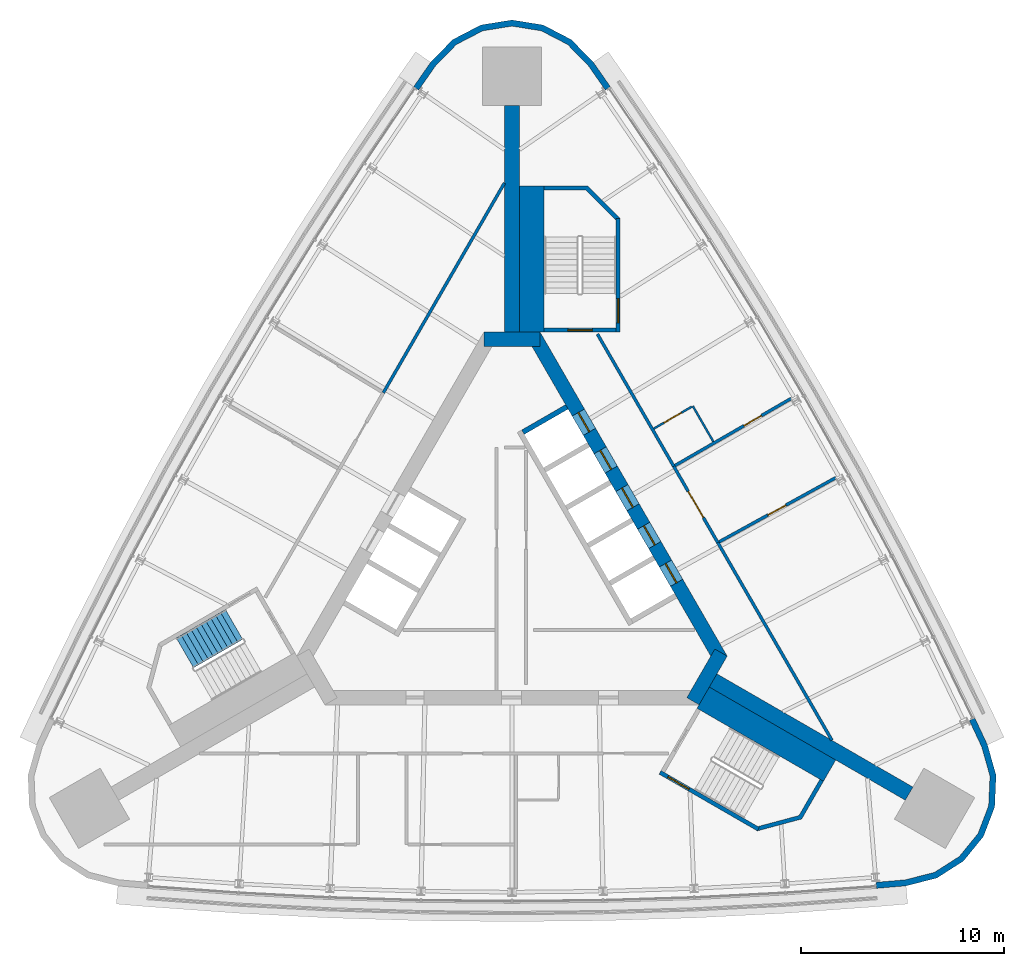
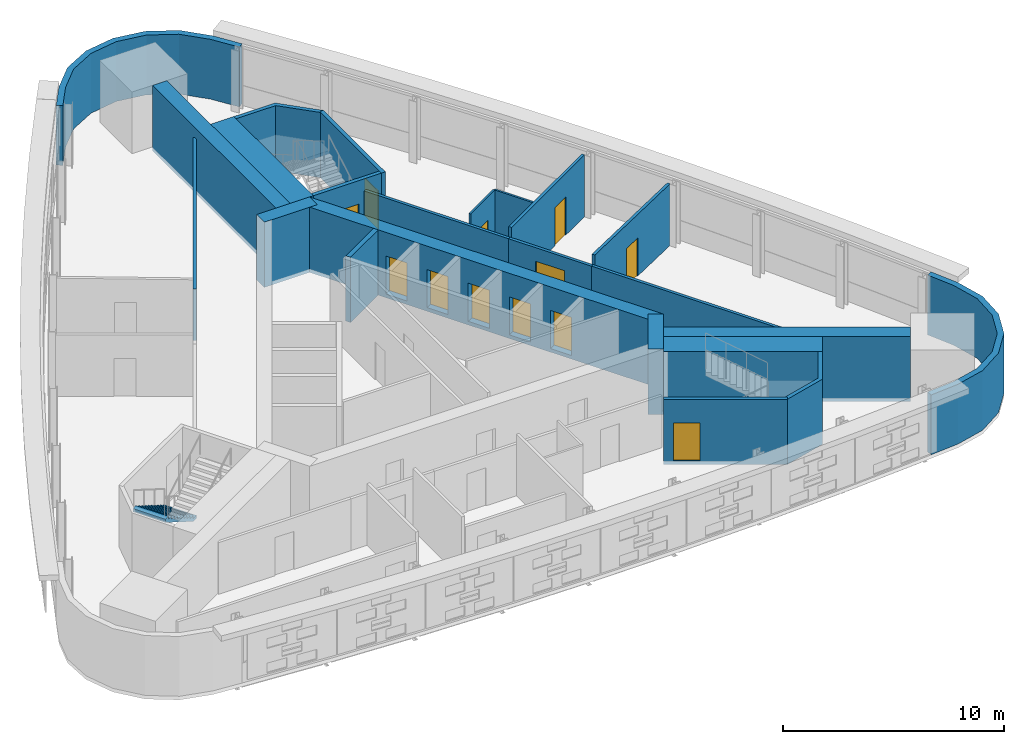
# One storey, part 10 of 13: 23 walls, 12 doors, 1 stair flight, 12 openings, 1 element without a shape of its own.
"""IFC4 building model written with IfcOpenShell, lengths in metres."""

from ifc_helpers import new_model, si_unit, direction, frame, frame_2d, origin, place, context, subcontext, project, spatial, polyline, rectangle, outline, extrude, material, layer, layer_set, type_object, element, fill, aggregate, save


model = new_model("IFC4")

# Units and contexts
model_context = context("Model", 3, precision=1e-05, world=origin(), true_north=direction((0.0, 1.0)))
body_context = subcontext(model_context, "Body", "Model", "MODEL_VIEW")
ifc_project = project(units=[si_unit("LENGTHUNIT", "METRE"), si_unit("AREAUNIT", "SQUARE_METRE"), si_unit("VOLUMEUNIT", "CUBIC_METRE"), si_unit("PLANEANGLEUNIT", "RADIAN"), si_unit("MASSUNIT", "GRAM", prefix="KILO")], contexts=[model_context])

# Site, building, storey
site_placement = place(None, origin())
site = spatial("IfcSite", under=ifc_project, at=site_placement, CompositionType="ELEMENT")
building_placement = place(site_placement, origin())
building = spatial("IfcBuilding", under=site, at=building_placement, Name="Noor Cloister Tower", CompositionType="ELEMENT")
storey_placement = place(building_placement, frame((0.0, 0.0, 143.699951171875)))
storey = spatial("IfcBuildingStorey", under=building, at=storey_placement, Name="L36", CompositionType="ELEMENT", Elevation=143.699951171875)

# Walls
ifc_material_1 = material(Name="Concrete C70/85", Category="concrete")
ifc_layer_1 = layer(ifc_material_1, 0.75)
ifc_layer_set_1 = layer_set([ifc_layer_1], Name="Buttress wall 750 C70/85")
wall_type_1 = type_object("IfcWallType", Name="Buttress wall 750 C70/85", PredefinedType="SHEAR", material=ifc_layer_set_1)
wall_1_placement = place(storey_placement, frame((0.0, 11.456298828125, -0.199951171875), z_axis=(0.0, 0.0, 1.0), x_axis=(0.0, 1.0, 0.0)))
element("IfcWall", 1, at=wall_1_placement, inside=storey, type_object=wall_type_1, Name="Buttress wall N L36", PredefinedType="SHEAR", context=body_context, shape_type="SweptSolid", body=[
    extrude(rectangle(XDim=11.166748046875, YDim=0.75, at=frame_2d((5.58349609375, 0.0))), origin(), (0.0, 0.0, 1.0), 3.60009765625),
])
wall_2_placement = place(storey_placement, frame((9.921630859375, -5.728271484375, -0.199951171875), z_axis=(0.0, 0.0, 1.0), x_axis=(0.866023928423, -0.500002555393, 0.0)))
element("IfcWall", 2, at=wall_2_placement, inside=storey, type_object=wall_type_1, Name="Buttress wall SE L36", PredefinedType="SHEAR", context=body_context, shape_type="SweptSolid", body=[
    extrude(rectangle(XDim=11.16650390625, YDim=0.75, at=frame_2d((5.583251953125, 0.0))), origin(), (0.0, 0.0, 1.0), 3.60009765625),
])
ifc_material_2 = material(Name="Concrete C70/85", Category="concrete")
ifc_layer_2 = layer(ifc_material_2, 0.699951171875)
ifc_layer_set_2 = layer_set([ifc_layer_2], Name="Core wall 700 C70/85")
wall_type_2 = type_object("IfcWallType", Name="Core wall 700 C70/85", PredefinedType="SHEAR", material=ifc_layer_set_2)
wall_3_placement = place(storey_placement, frame((8.925537109375, -6.753173828125, -0.199951171875), z_axis=(0.0, 0.0, 1.0), x_axis=(0.500042739161, 0.866000726912, 0.0)))
element("IfcWall", 3, at=wall_3_placement, inside=storey, type_object=wall_type_2, Name="Core wall L36 2", PredefinedType="SHEAR", context=body_context, shape_type="SweptSolid", body=[
    extrude(rectangle(XDim=2.771240234375, YDim=0.699951171875, at=frame_2d((1.3857421875, 0.0))), origin(), (0.0, 0.0, 1.0), 3.60009765625),
])

# Wall, openings, doors
wall_4_placement = place(storey_placement, frame((10.311279296875, -4.703125, -0.199951171875), z_axis=(0.0, 0.0, 1.0), x_axis=(-0.500001446645, 0.866024568562, 0.0)))
wall_4 = element("IfcWall", 4, at=wall_4_placement, inside=storey, type_object=wall_type_2, Name="Core wall L36 3", PredefinedType="SHEAR", context=body_context, shape_type="SweptSolid", body=[
    extrude(rectangle(XDim=18.45751953125, YDim=0.699951171875, at=frame_2d((9.228759765625, 0.0))), origin(), (0.0, 0.0, 1.0), 3.60009765625),
])
opening_1_placement = place(wall_4_placement, frame((4.378662109375, 0.0, 0.199951171875)))
opening_1 = element("IfcOpeningElement", 5, at=opening_1_placement, cuts=wall_4, Name="Opening L36-HR1", PredefinedType="OPENING", context=body_context, shape_type="SweptSolid", body=[
    extrude(rectangle(XDim=1.10009765625, YDim=2.10009765625, at=frame_2d((0.550048828125, 1.050048828125))), frame((0.0, 0.35986328125, 0.0), z_axis=(0.0, -1.0, 0.0), x_axis=(1.0, 0.0, 0.0)), (0.0, 0.0, 1.0), 0.719970703125),
])
opening_2_placement = place(wall_4_placement, frame((6.52880859375, 0.0, 0.199951171875)))
opening_2 = element("IfcOpeningElement", 6, at=opening_2_placement, cuts=wall_4, Name="Opening L36-HR2", PredefinedType="OPENING", context=body_context, shape_type="SweptSolid", body=[
    extrude(rectangle(XDim=1.10009765625, YDim=2.10009765625, at=frame_2d((0.550048828125, 1.050048828125))), frame((0.0, 0.35986328125, 0.0), z_axis=(0.0, -1.0, 0.0), x_axis=(1.0, 0.0, 0.0)), (0.0, 0.0, 1.0), 0.719970703125),
])
opening_3_placement = place(wall_4_placement, frame((8.6787109375, 0.0, 0.199951171875)))
opening_3 = element("IfcOpeningElement", 7, at=opening_3_placement, cuts=wall_4, Name="Opening L36-HR3", PredefinedType="OPENING", context=body_context, shape_type="SweptSolid", body=[
    extrude(rectangle(XDim=1.10009765625, YDim=2.10009765625, at=frame_2d((0.550048828125, 1.050048828125))), frame((0.0, 0.35986328125, 0.0), z_axis=(0.0, -1.0, 0.0), x_axis=(1.0, 0.0, 0.0)), (0.0, 0.0, 1.0), 0.719970703125),
])
opening_4_placement = place(wall_4_placement, frame((10.82861328125, 0.0, 0.199951171875)))
opening_4 = element("IfcOpeningElement", 8, at=opening_4_placement, cuts=wall_4, Name="Opening L36-HR4", PredefinedType="OPENING", context=body_context, shape_type="SweptSolid", body=[
    extrude(rectangle(XDim=1.10009765625, YDim=2.10009765625, at=frame_2d((0.550048828125, 1.050048828125))), frame((0.0, 0.35986328125, 0.0), z_axis=(0.0, -1.0, 0.0), x_axis=(1.0, 0.0, 0.0)), (0.0, 0.0, 1.0), 0.719970703125),
])
opening_5_placement = place(wall_4_placement, frame((12.978759765625, 0.0, 0.199951171875)))
opening_5 = element("IfcOpeningElement", 9, at=opening_5_placement, cuts=wall_4, Name="Opening L36-HR5", PredefinedType="OPENING", context=body_context, shape_type="SweptSolid", body=[
    extrude(rectangle(XDim=1.10009765625, YDim=2.10009765625, at=frame_2d((0.550048828125, 1.050048828125))), frame((0.0, 0.35986328125, 0.0), z_axis=(0.0, -1.0, 0.0), x_axis=(1.0, 0.0, 0.0)), (0.0, 0.0, 1.0), 0.719970703125),
])
ifc_material_3 = material(Name="Stainless steel", Category="steel")
door_type_1 = type_object("IfcDoorType", Name="Lift landing door 1100 x 2100", OperationType="DOUBLE_DOOR_SLIDING", PredefinedType="DOOR", material=ifc_material_3)
door_1_placement = place(opening_1_placement, origin())
door_1 = element("IfcDoor", 10, at=door_1_placement, inside=storey, type_object=door_type_1, Name="Landing door HR1 L36", OperationType="DOUBLE_DOOR_SLIDING", OverallHeight=2.10009765625, OverallWidth=1.10009765625, PredefinedType="DOOR", context=body_context, shape_type="SweptSolid", body=[
    extrude(rectangle(XDim=1.10009765625, YDim=2.10009765625, at=frame_2d((0.550048828125, 1.050048828125))), frame((0.0, 0.02490234375, 0.0), z_axis=(0.0, -1.0, 0.0), x_axis=(1.0, 0.0, 0.0)), (0.0, 0.0, 1.0), 0.050048828125),
])
fill(opening_1, door_1)
door_2_placement = place(opening_2_placement, origin())
door_2 = element("IfcDoor", 11, at=door_2_placement, inside=storey, type_object=door_type_1, Name="Landing door HR2 L36", OperationType="DOUBLE_DOOR_SLIDING", OverallHeight=2.10009765625, OverallWidth=1.10009765625, PredefinedType="DOOR", context=body_context, shape_type="SweptSolid", body=[
    extrude(rectangle(XDim=1.10009765625, YDim=2.10009765625, at=frame_2d((0.550048828125, 1.050048828125))), frame((0.0, 0.02490234375, 0.0), z_axis=(0.0, -1.0, 0.0), x_axis=(1.0, 0.0, 0.0)), (0.0, 0.0, 1.0), 0.050048828125),
])
fill(opening_2, door_2)
door_3_placement = place(opening_3_placement, origin())
door_3 = element("IfcDoor", 12, at=door_3_placement, inside=storey, type_object=door_type_1, Name="Landing door HR3 L36", OperationType="DOUBLE_DOOR_SLIDING", OverallHeight=2.10009765625, OverallWidth=1.10009765625, PredefinedType="DOOR", context=body_context, shape_type="SweptSolid", body=[
    extrude(rectangle(XDim=1.10009765625, YDim=2.10009765625, at=frame_2d((0.550048828125, 1.050048828125))), frame((0.0, 0.02490234375, 0.0), z_axis=(0.0, -1.0, 0.0), x_axis=(1.0, 0.0, 0.0)), (0.0, 0.0, 1.0), 0.050048828125),
])
fill(opening_3, door_3)
door_4_placement = place(opening_4_placement, origin())
door_4 = element("IfcDoor", 13, at=door_4_placement, inside=storey, type_object=door_type_1, Name="Landing door HR4 L36", OperationType="DOUBLE_DOOR_SLIDING", OverallHeight=2.10009765625, OverallWidth=1.10009765625, PredefinedType="DOOR", context=body_context, shape_type="SweptSolid", body=[
    extrude(rectangle(XDim=1.10009765625, YDim=2.10009765625, at=frame_2d((0.550048828125, 1.050048828125))), frame((0.0, 0.02490234375, 0.0), z_axis=(0.0, -1.0, 0.0), x_axis=(1.0, 0.0, 0.0)), (0.0, 0.0, 1.0), 0.050048828125),
])
fill(opening_4, door_4)
door_5_placement = place(opening_5_placement, origin())
door_5 = element("IfcDoor", 14, at=door_5_placement, inside=storey, type_object=door_type_1, Name="Landing door HR5 L36", OperationType="DOUBLE_DOOR_SLIDING", OverallHeight=2.10009765625, OverallWidth=1.10009765625, PredefinedType="DOOR", context=body_context, shape_type="SweptSolid", body=[
    extrude(rectangle(XDim=1.10009765625, YDim=2.10009765625, at=frame_2d((0.550048828125, 1.050048828125))), frame((0.0, 0.02490234375, 0.0), z_axis=(0.0, -1.0, 0.0), x_axis=(1.0, 0.0, 0.0)), (0.0, 0.0, 1.0), 0.050048828125),
])
fill(opening_5, door_5)

# Walls
wall_5_placement = place(storey_placement, frame((1.3857421875, 11.1064453125, -0.199951171875), z_axis=(0.0, 0.0, 1.0), x_axis=(-1.0, 0.0, 0.0)))
element("IfcWall", 15, at=wall_5_placement, inside=storey, type_object=wall_type_2, Name="Core wall L36 4", PredefinedType="SHEAR", context=body_context, shape_type="SweptSolid", body=[
    extrude(rectangle(XDim=2.771484375, YDim=0.699951171875, at=frame_2d((1.3857421875, 0.0))), origin(), (0.0, 0.0, 1.0), 3.60009765625),
])
ifc_material_4 = material(Name="Fire-rated gypsum board partition on steel studs, 150 mm", Category="steel")
ifc_layer_3 = layer(ifc_material_4, 0.14990234375)
ifc_layer_set_3 = layer_set([ifc_layer_3], Name="Fire lobby wall 150")
wall_type_3 = type_object("IfcWallType", Name="Fire lobby wall 150", PredefinedType="PARTITIONING", material=ifc_layer_set_3)
wall_6_placement = place(storey_placement, frame((-0.375, 18.806884765625, 0.0), z_axis=(0.0, 0.0, 1.0), x_axis=(-0.499995562011, -0.866027966043, 0.0)))
element("IfcWall", 16, at=wall_6_placement, inside=storey, type_object=wall_type_3, Name="Wall L36-W18", PredefinedType="PARTITIONING", context=body_context, shape_type="SweptSolid", body=[
    extrude(rectangle(XDim=11.9423828125, YDim=0.14990234375, at=frame_2d((5.97119140625, 0.0))), origin(), (0.0, 0.0, 1.0), 2.85205078125),
])
ifc_material_5 = material(Name="Gypsum board partition on steel studs, 150 mm", Category="steel")
ifc_layer_4 = layer(ifc_material_5, 0.14990234375)
ifc_layer_set_4 = layer_set([ifc_layer_4], Name="Flat wall 150")
wall_type_4 = type_object("IfcWallType", Name="Flat wall 150", PredefinedType="PARTITIONING", material=ifc_layer_set_4)
wall_7_placement = place(storey_placement, frame((15.781982421875, -8.6787109375, 0.0), z_axis=(0.0, 0.0, 1.0), x_axis=(-0.500008408626, 0.866020549008, 0.0)))
element("IfcWall", 17, at=wall_7_placement, inside=storey, type_object=wall_type_4, Name="Wall L36-W01", PredefinedType="PARTITIONING", context=body_context, shape_type="SweptSolid", body=[
    extrude(rectangle(XDim=11.258056640625, YDim=0.14990234375, at=frame_2d((5.62890625, 0.0))), origin(), (0.0, 0.0, 1.0), 2.85205078125),
])
wall_8_placement = place(storey_placement, frame((7.978515625, 4.83740234375, 0.0), z_axis=(0.0, 0.0, 1.0), x_axis=(-0.500014427086, 0.866017074142, 0.0)))
element("IfcWall", 18, at=wall_8_placement, inside=storey, type_object=wall_type_4, Name="Wall L36-W02", PredefinedType="PARTITIONING", context=body_context, shape_type="SweptSolid", body=[
    extrude(rectangle(XDim=7.527587890625, YDim=0.14990234375, at=frame_2d((3.763671875, 0.0))), origin(), (0.0, 0.0, 1.0), 2.84716796875),
])

# Wall, opening, door
wall_9_placement = place(storey_placement, frame((15.98046875, 4.278076171875, 0.0), z_axis=(0.0, 0.0, 1.0), x_axis=(-0.876090474863, -0.482146740997, 0.0)))
wall_9 = element("IfcWall", 19, at=wall_9_placement, inside=storey, type_object=wall_type_4, Name="Wall L36-W03", PredefinedType="PARTITIONING", context=body_context, shape_type="SweptSolid", body=[
    extrude(rectangle(XDim=6.57666015625, YDim=0.14990234375, at=frame_2d((3.288330078125, 0.0))), origin(), (0.0, 0.0, 1.0), 3.400146484375),
])
opening_6_placement = place(wall_9_placement, frame((2.825927734375, 0.0, 0.0)))
opening_6 = element("IfcOpeningElement", 20, at=opening_6_placement, cuts=wall_9, Name="Opening L36-002", PredefinedType="OPENING", context=body_context, shape_type="SweptSolid", body=[
    extrude(rectangle(XDim=1.0, YDim=2.10009765625, at=frame_2d((0.5, 1.050048828125))), frame((0.0, 0.0849609375, 0.0), z_axis=(0.0, -1.0, 0.0), x_axis=(1.0, 0.0, 0.0)), (0.0, 0.0, 1.0), 0.169921875),
])
ifc_material_6 = material(Name="Timber door leaf with steel frame", Category="steel")
door_type_2 = type_object("IfcDoorType", Name="Interior door 1000 FD60", OperationType="NOTDEFINED", PredefinedType="DOOR", material=ifc_material_6)
door_6_placement = place(opening_6_placement, origin())
door_6 = element("IfcDoor", 21, at=door_6_placement, inside=storey, type_object=door_type_2, Name="Door L36-002", OperationType="SINGLE_SWING_RIGHT", OverallHeight=2.10009765625, OverallWidth=1.0, PredefinedType="DOOR", context=body_context, shape_type="SweptSolid", body=[
    extrude(rectangle(XDim=1.0, YDim=2.10009765625, at=frame_2d((0.5, 1.050048828125))), frame((0.0, 0.02490234375, 0.0), z_axis=(0.0, -1.0, 0.0), x_axis=(1.0, 0.0, 0.0)), (0.0, 0.0, 1.0), 0.050048828125),
])
fill(opening_6, door_6)

wall_10_placement = place(storey_placement, frame((13.774169921875, 8.183349609375, 0.0), z_axis=(0.0, 0.0, 1.0), x_axis=(-0.866027686223, -0.499996046679, 0.0)))
wall_10 = element("IfcWall", 22, at=wall_10_placement, inside=storey, type_object=wall_type_4, Name="Wall L36-W04", PredefinedType="PARTITIONING", context=body_context, shape_type="SweptSolid", body=[
    extrude(rectangle(XDim=6.6171875, YDim=0.14990234375, at=frame_2d((3.30859375, 0.0))), origin(), (0.0, 0.0, 1.0), 3.400146484375),
])
opening_7_placement = place(wall_10_placement, frame((1.696044921875, 0.0, 0.0)))
opening_7 = element("IfcOpeningElement", 23, at=opening_7_placement, cuts=wall_10, Name="Opening L36-004", PredefinedType="OPENING", context=body_context, shape_type="SweptSolid", body=[
    extrude(rectangle(XDim=1.0, YDim=2.10009765625, at=frame_2d((0.5, 1.050048828125))), frame((0.0, 0.0849609375, 0.0), z_axis=(0.0, -1.0, 0.0), x_axis=(1.0, 0.0, 0.0)), (0.0, 0.0, 1.0), 0.169921875),
])
ifc_material_7 = material(Name="Timber door leaf with steel frame", Category="steel")
door_type_3 = type_object("IfcDoorType", Name="Flat entrance door 1000", OperationType="NOTDEFINED", PredefinedType="DOOR", material=ifc_material_7)
door_7_placement = place(opening_7_placement, origin())
door_7 = element("IfcDoor", 24, at=door_7_placement, inside=storey, type_object=door_type_3, Name="Door L36-004", OperationType="SINGLE_SWING_RIGHT", OverallHeight=2.10009765625, OverallWidth=1.0, PredefinedType="DOOR", context=body_context, shape_type="SweptSolid", body=[
    extrude(rectangle(XDim=1.0, YDim=2.10009765625, at=frame_2d((0.5, 1.050048828125))), frame((0.0, 0.02490234375, 0.0), z_axis=(0.0, -1.0, 0.0), x_axis=(1.0, 0.0, 0.0)), (0.0, 0.0, 1.0), 0.050048828125),
])
fill(opening_7, door_7)

wall_11_placement = place(storey_placement, frame((10.15283203125, 1.071044921875, 0.0), z_axis=(0.0, 0.0, 1.0), x_axis=(-0.499967049188, 0.866044427109, 0.0)))
wall_11 = element("IfcWall", 25, at=wall_11_placement, inside=storey, type_object=wall_type_4, Name="Wall L36-W05", PredefinedType="PARTITIONING", context=body_context, shape_type="SweptSolid", body=[
    extrude(rectangle(XDim=4.348876953125, YDim=0.14990234375, at=frame_2d((2.17431640625, 0.0))), origin(), (0.0, 0.0, 1.0), 2.84716796875),
])
opening_8_placement = place(wall_11_placement, frame((1.424560546875, 0.0, 0.0)))
opening_8 = element("IfcOpeningElement", 26, at=opening_8_placement, cuts=wall_11, Name="Opening L36-001", PredefinedType="OPENING", context=body_context, shape_type="SweptSolid", body=[
    extrude(rectangle(XDim=1.5, YDim=2.10009765625, at=frame_2d((0.75, 1.050048828125))), frame((0.0, 0.0849609375, 0.0), z_axis=(0.0, -1.0, 0.0), x_axis=(1.0, 0.0, 0.0)), (0.0, 0.0, 1.0), 0.169921875),
])
ifc_material_8 = material(Name="Timber door leaf with steel frame", Category="steel")
door_type_4 = type_object("IfcDoorType", Name="Double door 1500 FD60", OperationType="NOTDEFINED", PredefinedType="DOOR", material=ifc_material_8)
door_8_placement = place(opening_8_placement, origin())
door_8 = element("IfcDoor", 27, at=door_8_placement, inside=storey, type_object=door_type_4, Name="Door L36-001", OperationType="DOUBLE_DOOR_SINGLE_SWING", OverallHeight=2.10009765625, OverallWidth=1.5, PredefinedType="DOOR", context=body_context, shape_type="SweptSolid", body=[
    extrude(rectangle(XDim=1.5, YDim=2.10009765625, at=frame_2d((0.75, 1.050048828125))), frame((0.0, 0.02490234375, 0.0), z_axis=(0.0, -1.0, 0.0), x_axis=(1.0, 0.0, 0.0)), (0.0, 0.0, 1.0), 0.050048828125),
])
fill(opening_8, door_8)

# Walls
ifc_material_9 = material(Name="Limestone", Category="masonry")
ifc_layer_5 = layer(ifc_material_9, 0.300048828125)
ifc_layer_set_5 = layer_set([ifc_layer_5], Name="Limestone cladding 300")
wall_type_5 = type_object("IfcWallType", Name="Limestone cladding 300", PredefinedType="NOTDEFINED", material=ifc_layer_set_5)
wall_12_placement = place(storey_placement, origin())
element("IfcWall", 28, at=wall_12_placement, inside=storey, type_object=wall_type_5, Name="Limestone pier cladding L36 2.1", PredefinedType="NOTDEFINED", context=body_context, shape_type="SweptSolid", body=[
    extrude(outline(polyline([(17.979736328125, -15.98486328125), (19.44189453125, -15.859619140625), (20.95458984375, -15.47607421875), (22.27001953125, -14.636474609375), (23.25537109375, -13.426513671875), (23.810791015625, -11.96826171875), (23.8798828125, -10.4091796875), (23.455810546875, -8.907470703125), (22.833251953125, -7.57861328125), (22.5615234375, -7.705810546875), (23.173828125, -9.012451171875), (23.578125, -10.444091796875), (23.51318359375, -11.906494140625), (22.9921875, -13.274658203125), (22.06787109375, -14.40966796875), (20.833984375, -15.197021484375), (19.39208984375, -15.56298828125), (17.954345703125, -15.685791015625), (17.979736328125, -15.98486328125)])), origin(), (0.0, 0.0, 1.0), 3.300048828125),
])
wall_13_placement = place(storey_placement, origin())
element("IfcWall", 29, at=wall_13_placement, inside=storey, type_object=wall_type_5, Name="Limestone pier cladding L36 3.1", PredefinedType="NOTDEFINED", context=body_context, shape_type="SweptSolid", body=[
    extrude(outline(polyline([(4.853271484375, 23.5634765625), (4.013916015625, 24.76708984375), (2.92529296875, 25.88525390625), (1.54052734375, 26.604736328125), (0.0, 26.85302734375), (-1.54052734375, 26.604736328125), (-2.92529296875, 25.88525390625), (-4.013916015625, 24.76708984375), (-4.853271484375, 23.5634765625), (-4.607177734375, 23.391845703125), (-3.78173828125, 24.575439453125), (-2.744140625, 25.641357421875), (-1.445068359375, 26.316162109375), (0.0, 26.549072265625), (1.445068359375, 26.316162109375), (2.744140625, 25.641357421875), (3.78173828125, 24.575439453125), (4.607177734375, 23.391845703125), (4.853271484375, 23.5634765625)])), origin(), (0.0, 0.0, 1.0), 3.300048828125),
])
ifc_material_10 = material(Name="Gypsum board partition on steel studs, 100 mm", Category="steel")
ifc_layer_6 = layer(ifc_material_10, 0.10009765625)
ifc_layer_set_6 = layer_set([ifc_layer_6], Name="Partition 100")
wall_type_6 = type_object("IfcWallType", Name="Partition 100", PredefinedType="PARTITIONING", material=ifc_layer_set_6)
wall_14_placement = place(storey_placement, frame((9.932861328125, 6.05224609375, 0.0), z_axis=(0.0, 0.0, 1.0), x_axis=(-0.499990325971, 0.866030989016, 0.0)))
element("IfcWall", 30, at=wall_14_placement, inside=storey, type_object=wall_type_6, Name="Wall L36-W06", PredefinedType="PARTITIONING", context=body_context, shape_type="SweptSolid", body=[
    extrude(rectangle(XDim=2.02490234375, YDim=0.10009765625, at=frame_2d((1.012451171875, 0.0))), origin(), (0.0, 0.0, 1.0), 3.400146484375),
])

# Wall, opening, door
wall_15_placement = place(storey_placement, frame((8.876953125, 7.781005859375, 0.0), z_axis=(0.0, 0.0, 1.0), x_axis=(-0.865989304205, -0.500062521093, 0.0)))
wall_15 = element("IfcWall", 31, at=wall_15_placement, inside=storey, type_object=wall_type_6, Name="Wall L36-W07", PredefinedType="PARTITIONING", context=body_context, shape_type="SweptSolid", body=[
    extrude(rectangle(XDim=2.175048828125, YDim=0.10009765625, at=frame_2d((1.08740234375, 0.0))), origin(), (0.0, 0.0, 1.0), 3.400146484375),
])
opening_9_placement = place(wall_15_placement, frame((0.60009765625, 0.0, 0.0)))
opening_9 = element("IfcOpeningElement", 32, at=opening_9_placement, cuts=wall_15, Name="Opening L36-003", PredefinedType="OPENING", context=body_context, shape_type="SweptSolid", body=[
    extrude(rectangle(XDim=1.0, YDim=2.10009765625, at=frame_2d((0.5, 1.050048828125))), frame((0.0, 0.06005859375, 0.0), z_axis=(0.0, -1.0, 0.0), x_axis=(1.0, 0.0, 0.0)), (0.0, 0.0, 1.0), 0.1201171875),
])
ifc_material_11 = material(Name="Timber door leaf with steel frame", Category="steel")
door_type_5 = type_object("IfcDoorType", Name="Interior door 1000", OperationType="NOTDEFINED", PredefinedType="DOOR", material=ifc_material_11)
door_9_placement = place(opening_9_placement, origin())
door_9 = element("IfcDoor", 33, at=door_9_placement, inside=storey, type_object=door_type_5, Name="Door L36-003", OperationType="SINGLE_SWING_LEFT", OverallHeight=2.10009765625, OverallWidth=1.0, PredefinedType="DOOR", context=body_context, shape_type="SweptSolid", body=[
    extrude(rectangle(XDim=1.0, YDim=2.10009765625, at=frame_2d((0.5, 1.050048828125))), frame((0.0, 0.02490234375, 0.0), z_axis=(0.0, -1.0, 0.0), x_axis=(1.0, 0.0, 0.0)), (0.0, 0.0, 1.0), 0.050048828125),
])
fill(opening_9, door_9)

# Walls
ifc_material_12 = material(Name="Concrete C70/85", Category="concrete")
ifc_layer_7 = layer(ifc_material_12, 0.25)
ifc_layer_set_7 = layer_set([ifc_layer_7], Name="Shaft wall 250 C70/85")
wall_type_7 = type_object("IfcWallType", Name="Shaft wall 250 C70/85", PredefinedType="PARTITIONING", material=ifc_layer_set_7)
wall_16_placement = place(storey_placement, frame((2.706298828125, 7.76904296875, -0.199951171875), z_axis=(0.0, 0.0, 1.0), x_axis=(-0.866022959057, -0.500004234368, 0.0)))
element("IfcWall", 34, at=wall_16_placement, inside=storey, type_object=wall_type_7, Name="Lift shaft wall L36 NE 6", PredefinedType="PARTITIONING", context=body_context, shape_type="SweptSolid", body=[
    extrude(rectangle(XDim=2.5, YDim=0.25, at=frame_2d((1.25, 0.0))), origin(), (0.0, 0.0, 1.0), 3.60009765625),
])
ifc_material_13 = material(Name="Concrete C70/85", Category="concrete")
ifc_layer_8 = layer(ifc_material_13, 1.2109375)
ifc_layer_set_8 = layer_set([ifc_layer_8], Name="Stair enclosure wall 1211 C70/85")
wall_type_8 = type_object("IfcWallType", Name="Stair enclosure wall 1211 C70/85", PredefinedType="SHEAR", material=ifc_layer_set_8)
wall_17_placement = place(storey_placement, frame((0.980224609375, 11.456298828125, -0.199951171875), z_axis=(0.0, 0.0, 1.0), x_axis=(0.0, 1.0, 0.0)))
element("IfcWall", 35, at=wall_17_placement, inside=storey, type_object=wall_type_8, Name="Stair enclosure wall ST1 L36 riser side", PredefinedType="SHEAR", context=body_context, shape_type="SweptSolid", body=[
    extrude(rectangle(XDim=7.2001953125, YDim=1.210693359375, at=frame_2d((3.60009765625, 0.0))), origin(), (0.0, 0.0, 1.0), 3.60009765625),
])
wall_18_placement = place(storey_placement, frame((9.431396484375, -6.5771484375, -0.199951171875), z_axis=(0.0, 0.0, 1.0), x_axis=(0.866018442252, -0.500012057535, 0.0)))
element("IfcWall", 36, at=wall_18_placement, inside=storey, type_object=wall_type_8, Name="Stair enclosure wall ST3 L36 riser side", PredefinedType="SHEAR", context=body_context, shape_type="SweptSolid", body=[
    extrude(rectangle(XDim=7.199951171875, YDim=1.210693359375, at=frame_2d((3.60009765625, 0.0))), origin(), (0.0, 0.0, 1.0), 3.60009765625),
])

# Wall, opening, door
ifc_material_14 = material(Name="Concrete C70/85", Category="concrete")
ifc_layer_9 = layer(ifc_material_14, 0.199951171875)
ifc_layer_set_9 = layer_set([ifc_layer_9], Name="Stair enclosure wall 200 C70/85")
wall_type_9 = type_object("IfcWallType", Name="Stair enclosure wall 200 C70/85", PredefinedType="SHEAR", material=ifc_layer_set_9)
wall_19_placement = place(storey_placement, frame((5.135498046875, 11.556396484375, -0.199951171875), z_axis=(0.0, 0.0, 1.0), x_axis=(-1.0, 0.0, 0.0)))
wall_19 = element("IfcWall", 37, at=wall_19_placement, inside=storey, type_object=wall_type_9, Name="Stair enclosure wall ST1 L36 near end", PredefinedType="SHEAR", context=body_context, shape_type="SweptSolid", body=[
    extrude(rectangle(XDim=3.5498046875, YDim=0.199951171875, at=frame_2d((1.77490234375, 0.0))), origin(), (0.0, 0.0, 1.0), 3.60009765625),
])
opening_10_placement = place(wall_19_placement, frame((1.175048828125, 0.0, 0.199951171875)))
opening_10 = element("IfcOpeningElement", 38, at=opening_10_placement, cuts=wall_19, Name="Opening L36-ST1L", PredefinedType="OPENING", context=body_context, shape_type="SweptSolid", body=[
    extrude(rectangle(XDim=1.199951171875, YDim=2.10009765625, at=frame_2d((0.60009765625, 1.050048828125))), frame((0.0, 0.10986328125, 0.0), z_axis=(0.0, -1.0, 0.0), x_axis=(1.0, 0.0, 0.0)), (0.0, 0.0, 1.0), 0.219970703125),
])
ifc_material_15 = material(Name="Steel", Category="steel")
door_type_6 = type_object("IfcDoorType", Name="Stair door 1200 x 2100 FD120", OperationType="SINGLE_SWING_LEFT", PredefinedType="DOOR", material=ifc_material_15)
door_10_placement = place(opening_10_placement, origin())
door_10 = element("IfcDoor", 39, at=door_10_placement, inside=storey, type_object=door_type_6, Name="Stair door ST1 L36", OperationType="SINGLE_SWING_RIGHT", OverallHeight=2.10009765625, OverallWidth=1.199951171875, PredefinedType="DOOR", context=body_context, shape_type="SweptSolid", body=[
    extrude(rectangle(XDim=1.199951171875, YDim=2.10009765625, at=frame_2d((0.60009765625, 1.050048828125))), frame((0.0, 0.02490234375, 0.0), z_axis=(0.0, -1.0, 0.0), x_axis=(1.0, 0.0, 0.0)), (0.0, 0.0, 1.0), 0.050048828125),
])
fill(opening_10, door_10)

wall_20_placement = place(storey_placement, frame((5.235595703125, 11.456298828125, -0.199951171875), z_axis=(0.0, 0.0, 1.0), x_axis=(0.0, 1.0, 0.0)))
wall_20 = element("IfcWall", 40, at=wall_20_placement, inside=storey, type_object=wall_type_9, Name="Stair enclosure wall ST1 L36 outer side", PredefinedType="SHEAR", context=body_context, shape_type="SweptSolid", body=[
    extrude(rectangle(XDim=5.60009765625, YDim=0.199951171875, at=frame_2d((2.800048828125, 0.0))), origin(), (0.0, 0.0, 1.0), 3.60009765625),
])
opening_11_placement = place(wall_20_placement, frame((0.449951171875, 0.0, 0.199951171875)))
opening_11 = element("IfcOpeningElement", 41, at=opening_11_placement, cuts=wall_20, Name="Opening L36-ST1C", PredefinedType="OPENING", context=body_context, shape_type="SweptSolid", body=[
    extrude(rectangle(XDim=1.199951171875, YDim=2.10009765625, at=frame_2d((0.60009765625, 1.050048828125))), frame((0.0, 0.10986328125, 0.0), z_axis=(0.0, -1.0, 0.0), x_axis=(1.0, 0.0, 0.0)), (0.0, 0.0, 1.0), 0.219970703125),
])
door_11_placement = place(opening_11_placement, origin())
door_11 = element("IfcDoor", 42, at=door_11_placement, inside=storey, type_object=door_type_6, Name="Stair door ST1 L36", OperationType="SINGLE_SWING_LEFT", OverallHeight=2.10009765625, OverallWidth=1.199951171875, PredefinedType="DOOR", context=body_context, shape_type="SweptSolid", body=[
    extrude(rectangle(XDim=1.199951171875, YDim=2.10009765625, at=frame_2d((0.60009765625, 1.050048828125))), frame((0.0, 0.02490234375, 0.0), z_axis=(0.0, -1.0, 0.0), x_axis=(1.0, 0.0, 0.0)), (0.0, 0.0, 1.0), 0.050048828125),
])
fill(opening_11, door_11)

wall_21_placement = place(storey_placement, frame((7.3037109375, -10.262451171875, -0.199951171875), z_axis=(0.0, 0.0, 1.0), x_axis=(0.866026594901, -0.49999793692, 0.0)))
wall_21 = element("IfcWall", 43, at=wall_21_placement, inside=storey, type_object=wall_type_9, Name="Stair enclosure wall ST3 L36 outer side", PredefinedType="SHEAR", context=body_context, shape_type="SweptSolid", body=[
    extrude(rectangle(XDim=5.60009765625, YDim=0.199951171875, at=frame_2d((2.800048828125, 0.0))), origin(), (0.0, 0.0, 1.0), 3.60009765625),
])
opening_12_placement = place(wall_21_placement, frame((0.449951171875, 0.0, 0.199951171875)))
opening_12 = element("IfcOpeningElement", 44, at=opening_12_placement, cuts=wall_21, Name="Opening L36-ST3C", PredefinedType="OPENING", context=body_context, shape_type="SweptSolid", body=[
    extrude(rectangle(XDim=1.199951171875, YDim=2.10009765625, at=frame_2d((0.60009765625, 1.050048828125))), frame((0.0, 0.10986328125, 0.0), z_axis=(0.0, -1.0, 0.0), x_axis=(1.0, 0.0, 0.0)), (0.0, 0.0, 1.0), 0.219970703125),
])
door_12_placement = place(opening_12_placement, origin())
door_12 = element("IfcDoor", 45, at=door_12_placement, inside=storey, type_object=door_type_6, Name="Stair door ST3 L36", OperationType="SINGLE_SWING_LEFT", OverallHeight=2.10009765625, OverallWidth=1.199951171875, PredefinedType="DOOR", context=body_context, shape_type="SweptSolid", body=[
    extrude(rectangle(XDim=1.199951171875, YDim=2.10009765625, at=frame_2d((0.60009765625, 1.050048828125))), frame((0.0, 0.02490234375, 0.0), z_axis=(0.0, -1.0, 0.0), x_axis=(1.0, 0.0, 0.0)), (0.0, 0.0, 1.0), 0.050048828125),
])
fill(opening_12, door_12)

# Walls
ifc_material_16 = material(Name="Concrete C70/85", Category="concrete")
wall_type_10 = type_object("IfcWallType", Name="Stair far end wall C70/85", PredefinedType="SHEAR", material=ifc_material_16)
wall_22_placement = place(storey_placement, frame((0.0, 0.0, -0.199951171875)))
element("IfcWall", 46, at=wall_22_placement, inside=storey, type_object=wall_type_10, Name="Stair enclosure wall ST1 L36 far end", PredefinedType="SHEAR", context=body_context, shape_type="SweptSolid", body=[
    extrude(outline(polyline([(5.335693359375, 17.056396484375), (3.735595703125, 18.656494140625), (1.585693359375, 18.656494140625), (1.585693359375, 18.456298828125), (3.65283203125, 18.456298828125), (5.135498046875, 16.9736328125), (5.135498046875, 17.056396484375), (5.135498046875, 17.056396484375), (5.135498046875, 17.056396484375), (5.135498046875, 17.056396484375), (5.135498046875, 17.056396484375), (5.135498046875, 17.056396484375), (5.135498046875, 17.056396484375), (5.135498046875, 17.056396484375), (5.135498046875, 17.056396484375), (5.135498046875, 17.056396484375), (5.135498046875, 17.056396484375), (5.135498046875, 17.056396484375), (5.135498046875, 17.056396484375), (5.135498046875, 17.056396484375), (5.135498046875, 17.056396484375), (5.135498046875, 17.056396484375), (5.135498046875, 17.056396484375), (5.335693359375, 17.056396484375)])), origin(), (0.0, 0.0, 1.0), 3.60009765625),
])
wall_23_placement = place(storey_placement, frame((0.0, 0.0, -0.199951171875)))
element("IfcWall", 47, at=wall_23_placement, inside=storey, type_object=wall_type_10, Name="Stair enclosure wall ST3 L36 far end", PredefinedType="SHEAR", context=body_context, shape_type="SweptSolid", body=[
    extrude(outline(polyline([(12.103515625, -13.14892578125), (14.2890625, -12.5634765625), (15.364013671875, -10.701416015625), (15.19091796875, -10.601318359375), (14.1572265625, -12.3916015625), (12.131591796875, -12.934326171875), (12.20361328125, -12.975830078125), (12.20361328125, -12.975830078125), (12.20361328125, -12.975830078125), (12.20361328125, -12.975830078125), (12.20361328125, -12.975830078125), (12.20361328125, -12.975830078125), (12.20361328125, -12.975830078125), (12.20361328125, -12.975830078125), (12.20361328125, -12.975830078125), (12.20361328125, -12.975830078125), (12.20361328125, -12.975830078125), (12.20361328125, -12.975830078125), (12.20361328125, -12.975830078125), (12.20361328125, -12.975830078125), (12.20361328125, -12.975830078125), (12.20361328125, -12.975830078125), (12.20361328125, -12.975830078125), (12.103515625, -13.14892578125)])), origin(), (0.0, 0.0, 1.0), 3.60009765625),
])

# Stair, stair flight
ifc_material_17 = material(Name="Concrete C40/50", Category="concrete")
stair_type = type_object("IfcStairType", Name="Exit stair 22 risers", PredefinedType="HALF_TURN_STAIR", material=ifc_material_17)
stair_placement = place(storey_placement, origin())
stair = element("IfcStair", 48, at=stair_placement, inside=storey, type_object=stair_type, Name="Exit stair ST2 L36", PredefinedType="HALF_TURN_STAIR")
ifc_material_18 = material(Name="Concrete C40/50", Category="concrete")
stair_flight_type = type_object("IfcStairFlightType", Name="Exit stair flight", PredefinedType="STRAIGHT", material=ifc_material_18)
stair_flight_placement = place(storey_placement, frame((-13.709716796875, -2.966796875, 0.0), z_axis=(0.0, 0.0, 1.0), x_axis=(-0.866025403784, -0.5, 0.0)))
stair_flight = element("IfcStairFlight", 49, at=stair_flight_placement, type_object=stair_flight_type, Name="ST2 flight 1", NumberOfRisers=11, NumberOfTreads=10, PredefinedType="STRAIGHT", RiserHeight=0.163636364, TreadLength=0.28, context=body_context, shape_type="SweptSolid", body=[
    extrude(outline(polyline([(0.0, 0.0), (0.0, 0.16357421875), (0.280029296875, 0.16357421875), (0.280029296875, 0.327392578125), (0.56005859375, 0.327392578125), (0.56005859375, 0.490966796875), (0.840087890625, 0.490966796875), (0.840087890625, 0.654541015625), (1.1201171875, 0.654541015625), (1.1201171875, 0.818115234375), (1.39990234375, 0.818115234375), (1.39990234375, 0.98193359375), (1.679931640625, 0.98193359375), (1.679931640625, 1.1455078125), (1.9599609375, 1.1455078125), (1.9599609375, 1.30908203125), (2.239990234375, 1.30908203125), (2.239990234375, 1.47265625), (2.52001953125, 1.47265625), (2.52001953125, 1.636474609375), (2.800048828125, 1.636474609375), (2.800048828125, 1.800048828125), (2.800048828125, 1.462646484375), (0.297119140625, 0.0), (0.0, 0.0)])), frame((0.0, 0.85009765625, 0.0), z_axis=(0.0, -1.0, 0.0), x_axis=(1.0, 0.0, 0.0)), (0.0, 0.0, 1.0), 1.699951171875),
])
aggregate(stair, [stair_flight])

save(model, "model.ifc")
